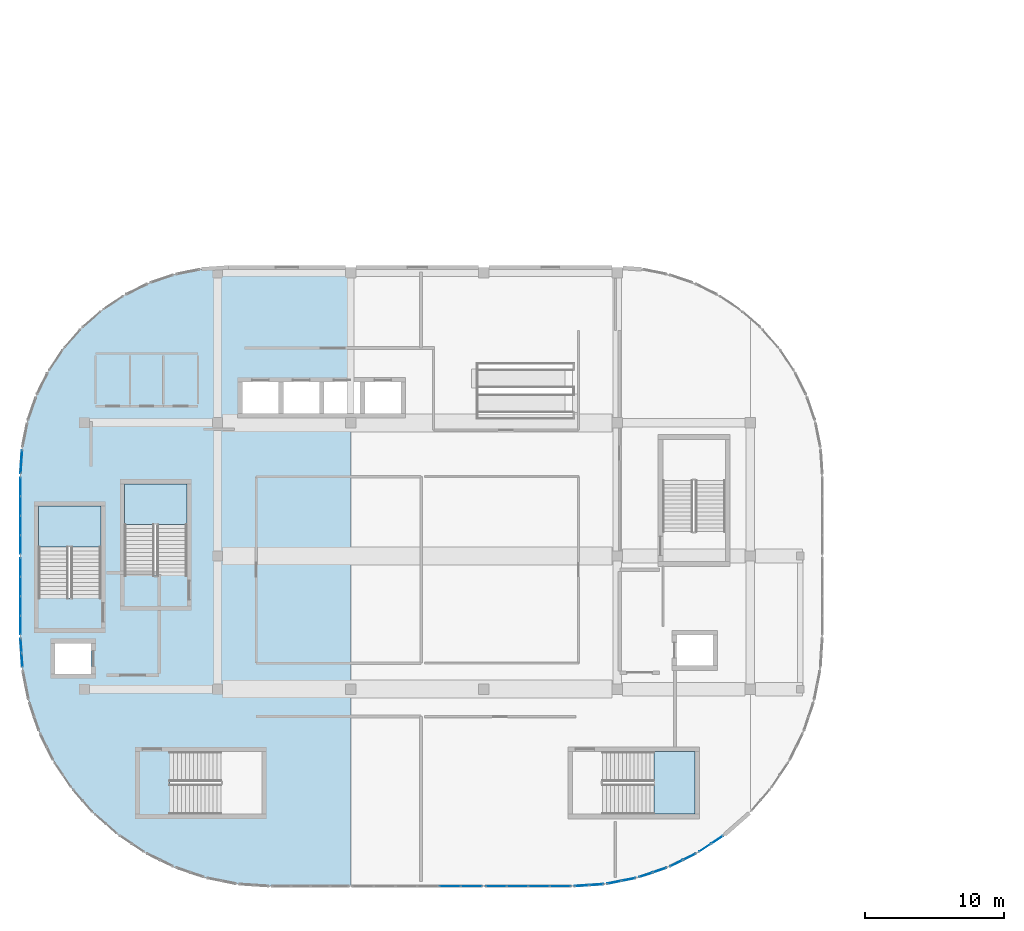
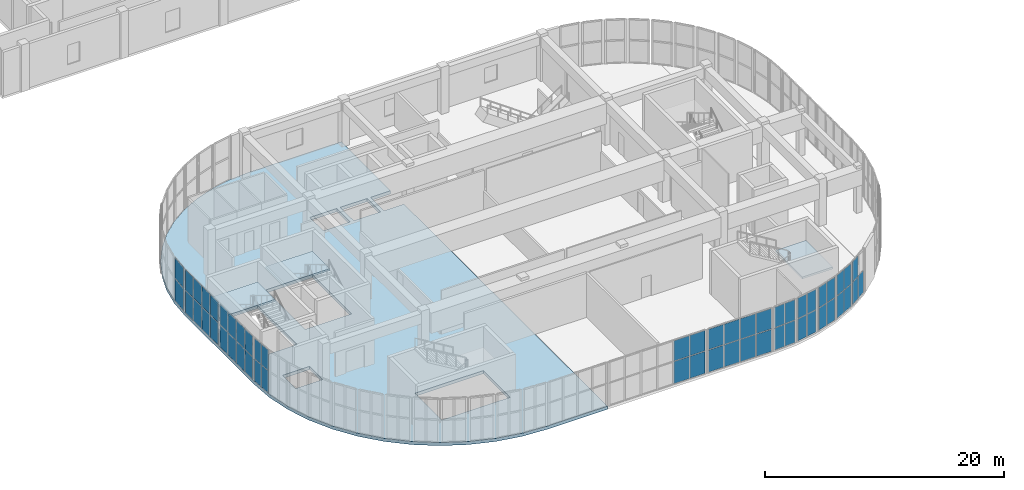
# One storey, part 16 of 28: 53 plates, 4 slabs, 14 elements without a shape of their own.
"""IFC4 building model written with IfcOpenShell, lengths in metres."""

import ifcopenshell
import ifcopenshell.guid

model = None  # the IFC model being written
_history = None  # IfcOwnerHistory: only IFC2X3 demands one
_inside = {}  # id of a spatial element -> (the spatial element, [elements in it])
_under = {}  # id of a project, library or spatial element -> (it, [spatial elements below it])
_declared = {}  # id of a project -> (the project, [libraries it declares])
_typed = {}  # id of a type object -> (the type object, [elements of that type])
_made_of = {}  # id of a material, layer set ... -> (it, [elements and type objects made of it])


def new_model(schema):
    """Start an empty IFC model of exactly this schema.

    Asked for "IFC4X3", IfcOpenShell would pick the latest addendum, in which some entities
    have other attributes; the version numbers below select the first issue.
    IFC2X3 requires an IfcOwnerHistory on every rooted entity: one is made here for all.
    """
    global model, _history
    if schema == "IFC4X3":
        model = ifcopenshell.file(schema_version=(4, 3, 0, 0))
    else:
        model = ifcopenshell.file(schema=schema)
    _inside.clear()
    _under.clear()
    _declared.clear()
    _typed.clear()
    _made_of.clear()
    _history = None
    if model.schema == "IFC2X3":
        org = make("IfcOrganization", Name="unknown")
        user = make(
            "IfcPersonAndOrganization",
            ThePerson=make("IfcPerson", FamilyName="unknown"),
            TheOrganization=org,
        )
        app = make(
            "IfcApplication",
            ApplicationDeveloper=org,
            Version="unknown",
            ApplicationFullName="unknown",
            ApplicationIdentifier="unknown",
        )
        _history = make(
            "IfcOwnerHistory",
            OwningUser=user,
            OwningApplication=app,
            ChangeAction="ADDED",
            CreationDate=0,
        )
    return model


def make(cls, **values):
    """One entity of the class cls with the attributes given. An attribute that is None is left unset."""
    return model.create_entity(
        cls, **{name: value for name, value in values.items() if value is not None}
    )


def rooted(cls, **values):
    """An entity with a GlobalId (a new one), such as an element, a storey or a relation."""
    return make(cls, GlobalId=ifcopenshell.guid.new(), OwnerHistory=_history, **values)


def si_unit(unit_type, name, prefix=None):
    """IfcSIUnit, for example si_unit("LENGTHUNIT", "METRE", prefix="MILLI")."""
    return make("IfcSIUnit", UnitType=unit_type, Prefix=prefix, Name=name)


def assignment(units):
    """IfcUnitAssignment: the units of a project."""
    return None if units is None else make("IfcUnitAssignment", Units=units)


def point(xyz):
    """IfcCartesianPoint."""
    return None if xyz is None else make("IfcCartesianPoint", Coordinates=xyz)


def direction(xyz):
    """IfcDirection."""
    return None if xyz is None else make("IfcDirection", DirectionRatios=xyz)


def frame(location, z_axis=None, x_axis=None):
    """IfcAxis2Placement3D, a coordinate frame: its origin and axes. An axis left out is left unset."""
    return make(
        "IfcAxis2Placement3D",
        Location=point(location),
        Axis=direction(z_axis),
        RefDirection=direction(x_axis),
    )


def frame_2d(location, x_axis=None):
    """IfcAxis2Placement2D, a coordinate frame in the plane: its origin and x axis."""
    return make(
        "IfcAxis2Placement2D", Location=point(location), RefDirection=direction(x_axis)
    )


def origin():
    """The frame at (0, 0, 0) with its axes left unset."""
    return frame((0.0, 0.0, 0.0))


def origin_2d():
    """The frame at (0, 0) in the plane with its x axis left unset."""
    return frame_2d((0.0, 0.0))


def place(relative_to, where):
    """IfcLocalPlacement: puts the frame where relative to a parent placement (None: the world)."""
    return make(
        "IfcLocalPlacement", PlacementRelTo=relative_to, RelativePlacement=where
    )


def context(
    kind, dimensions, precision=None, world=None, true_north=None, identifier=None
):
    """IfcGeometricRepresentationContext, for example the 3D "Model" context."""
    return make(
        "IfcGeometricRepresentationContext",
        ContextIdentifier=identifier,
        ContextType=kind,
        CoordinateSpaceDimension=dimensions,
        Precision=precision,
        WorldCoordinateSystem=world,
        TrueNorth=true_north,
    )


def subcontext(parent, identifier, kind, view, scale=None):
    """IfcGeometricRepresentationSubContext, for example "Body" below "Model"."""
    return make(
        "IfcGeometricRepresentationSubContext",
        ContextIdentifier=identifier,
        ContextType=kind,
        ParentContext=parent,
        TargetScale=scale,
        TargetView=view,
    )


def project(units=None, contexts=None):
    """IfcProject with its units and contexts."""
    return rooted(
        "IfcProject",
        Name="project",
        RepresentationContexts=contexts,
        UnitsInContext=assignment(units),
    )


def spatial(cls, under=None, at=None, **own):
    """A site, building, storey or space (cls), placed at a placement, below another one or the project."""
    s = rooted(cls, ObjectPlacement=at, **own)
    if under is not None:
        _under.setdefault(under.id(), (under, []))[1].append(s)
    return s


def polyline(points):
    """IfcPolyline through the points."""
    return make("IfcPolyline", Points=[point(p) for p in points])


def profile(cls, at=None, kind="AREA", **sizes):
    """A parametric profile (cls). Its sizes go by their IFC names, for example OverallWidth=200.0."""
    return make(cls, ProfileType=kind, Position=at, **sizes)


def rectangle(**sizes):
    """IfcRectangleProfileDef."""
    return profile("IfcRectangleProfileDef", **sizes)


def outline(outer, holes=None, kind="AREA"):
    """IfcArbitraryClosedProfileDef: a profile drawn as a closed curve; with holes, ...WithVoids."""
    if holes is None:
        return make("IfcArbitraryClosedProfileDef", ProfileType=kind, OuterCurve=outer)
    return make(
        "IfcArbitraryProfileDefWithVoids",
        ProfileType=kind,
        OuterCurve=outer,
        InnerCurves=holes,
    )


def extrude(swept, where, along, depth):
    """IfcExtrudedAreaSolid: the profile swept, set in the frame where, extruded along a direction by depth."""
    return make(
        "IfcExtrudedAreaSolid",
        SweptArea=swept,
        Position=where,
        ExtrudedDirection=direction(along),
        Depth=depth,
    )


def shape(context_of_items, identifier, shape_type, items):
    """IfcShapeRepresentation: the items that make up one representation, for example the "Body"."""
    return make(
        "IfcShapeRepresentation",
        ContextOfItems=context_of_items,
        RepresentationIdentifier=identifier,
        RepresentationType=shape_type,
        Items=items,
    )


def material(Name=None, Category=None):
    """IfcMaterial."""
    return make("IfcMaterial", Name=Name, Category=Category)


def layer(
    of_material, thickness, ventilated=None, Name=None, Category=None, Priority=None
):
    """IfcMaterialLayer: one layer of a wall or slab, of a material (None: an air gap)."""
    return make(
        "IfcMaterialLayer",
        Material=of_material,
        LayerThickness=thickness,
        IsVentilated=ventilated,
        Name=Name,
        Category=Category,
        Priority=Priority,
    )


def layer_set(layers, Name=None):
    """IfcMaterialLayerSet."""
    return make("IfcMaterialLayerSet", MaterialLayers=layers, LayerSetName=Name)


def made_of(thing, what):
    """Note that an element or type object is made of a material, layer set ...; save() writes the relation."""
    if what is not None:
        _made_of.setdefault(what.id(), (what, []))[1].append(thing)
    return thing


def type_object(cls, material=None, **own):
    """A type object (cls), such as IfcWallType, which elements share."""
    return made_of(rooted(cls, **own), material)


def element(
    cls,
    number,
    at=None,
    inside=None,
    cuts=None,
    type_object=None,
    material=None,
    context=None,
    identifier="Body",
    shape_type=None,
    held_by="IfcProductDefinitionShape",
    body=None,
    shapes=None,
    **own,
):
    """One element of the class cls, such as IfcWall. Its Tag is "e" and its number.

    at: its placement. inside: the storey or other place that contains it. cuts: it is an
    opening in that element (IfcRelVoidsElement). A single representation is given by context,
    identifier, shape_type and body (its items); several are given by shapes. held_by: the class
    of the entity that holds the representations. save() writes the other relations.
    """
    e = rooted(cls, Tag="e%d" % number, ObjectPlacement=at, **own)
    if body is not None:
        shapes = [shape(context, identifier, shape_type, body)]
    if shapes is not None:
        e.Representation = make(held_by, Representations=shapes)
    if inside is not None:
        _inside.setdefault(inside.id(), (inside, []))[1].append(e)
    if cuts is not None:
        rooted(
            "IfcRelVoidsElement", RelatingBuildingElement=cuts, RelatedOpeningElement=e
        )
    if type_object is not None:
        _typed.setdefault(type_object.id(), (type_object, []))[1].append(e)
    return made_of(e, material)


def aggregate(whole, parts):
    """IfcRelAggregates: a whole, such as a stair, and the parts it consists of."""
    return rooted("IfcRelAggregates", RelatingObject=whole, RelatedObjects=parts)


def save(model, path):
    """Write the relations noted so far, then the file.

    IfcRelAggregates (storeys below a building ...), IfcRelContainedInSpatialStructure (elements
    in a storey), IfcRelDefinesByType, IfcRelAssociatesMaterial and IfcRelDeclares: one each for
    every whole, place, type object, material and project.
    """
    for whole, parts in _under.values():
        aggregate(whole, parts)
    for where, things in _inside.values():
        rooted(
            "IfcRelContainedInSpatialStructure",
            RelatedElements=things,
            RelatingStructure=where,
        )
    for kind, things in _typed.values():
        rooted("IfcRelDefinesByType", RelatedObjects=things, RelatingType=kind)
    for what, things in _made_of.values():
        rooted("IfcRelAssociatesMaterial", RelatedObjects=things, RelatingMaterial=what)
    for by, libraries in _declared.values():
        rooted("IfcRelDeclares", RelatingContext=by, RelatedDefinitions=libraries)
    model.write(path)


model = new_model("IFC4")

# Units and contexts
model_context = context("Model", 3, precision=1e-05, world=origin(), true_north=direction((0.0, 1.0)))
body_context = subcontext(model_context, "Body", "Model", "MODEL_VIEW")
ifc_project = project(units=[si_unit("LENGTHUNIT", "METRE"), si_unit("AREAUNIT", "SQUARE_METRE"), si_unit("VOLUMEUNIT", "CUBIC_METRE"), si_unit("PLANEANGLEUNIT", "RADIAN"), si_unit("MASSUNIT", "GRAM", prefix="KILO")], contexts=[model_context])

# Site, building, storey
site_placement = place(None, origin())
site = spatial("IfcSite", under=ifc_project, at=site_placement, CompositionType="ELEMENT")
building_placement = place(site_placement, origin())
building = spatial("IfcBuilding", under=site, at=building_placement, Name="Cendralis Terraced Arcade", CompositionType="ELEMENT")
storey_placement = place(building_placement, frame((0.0, 0.0, 24.60009765625)))
storey = spatial("IfcBuildingStorey", under=building, at=storey_placement, Name="L05", CompositionType="ELEMENT", Elevation=24.60009765625)

# Curtain wall, plates
ifc_material_1 = material(Name="Anodised aluminium EN AW-6063 T6", Category="aluminium")
ifc_layer_1 = layer(ifc_material_1, 0.179931640625, Name="CW-UNIT-A")
ifc_layer_set_1 = layer_set([ifc_layer_1], Name="Anodised aluminium EN AW-6063 T6")
curtain_wall_type_1 = type_object("IfcCurtainWallType", Name="CW-UNIT-A", PredefinedType="USERDEFINED", material=ifc_layer_set_1)
curtain_wall_1_placement = place(storey_placement, origin())
curtain_wall_1 = element("IfcCurtainWall", 1, at=curtain_wall_1_placement, inside=storey, type_object=curtain_wall_type_1, Name="Exterior Unitised Facade CW-L05-0379", ObjectType="UNITISED FACADE", PredefinedType="USERDEFINED")
ifc_material_2 = material(Name="Tempered solar control laminated glass", Category="glass")
ifc_layer_2 = layer(ifc_material_2, 0.035888671875, Name="CW-UNIT-A-PNL")
ifc_layer_set_2 = layer_set([ifc_layer_2], Name="Tempered solar control laminated glass")
plate_type_1 = type_object("IfcPlateType", Name="CW-UNIT-A-PNL", PredefinedType="CURTAIN_PANEL", material=ifc_layer_set_2)
plate_1_placement = place(storey_placement, frame((5.064208984375, 35.578857421875, 0.06494140625), z_axis=(0.0, 0.0, 1.0), x_axis=(0.065371873798, 0.997860971336, 0.0)))
plate_1 = element("IfcPlate", 2, at=plate_1_placement, type_object=plate_type_1, Name="CW-U1 panel 1.1", PredefinedType="CURTAIN_PANEL", context=body_context, shape_type="SweptSolid", body=[
    extrude(rectangle(XDim=1.652099609375, YDim=0.035888671875, at=origin_2d()), origin(), (0.0, 0.0, 1.0), 2.247802734375),
])
plate_2_placement = place(storey_placement, frame((5.064208984375, 35.578857421875, 2.37744140625), z_axis=(0.0, 0.0, 1.0), x_axis=(0.065371873798, 0.997860971336, 0.0)))
plate_2 = element("IfcPlate", 3, at=plate_2_placement, type_object=plate_type_1, Name="CW-U1 panel 1.2", PredefinedType="CURTAIN_PANEL", context=body_context, shape_type="SweptSolid", body=[
    extrude(rectangle(XDim=1.652099609375, YDim=0.035888671875, at=origin_2d()), origin(), (0.0, 0.0, 1.0), 2.0673828125),
])
aggregate(curtain_wall_1, [plate_1, plate_2])

curtain_wall_2_placement = place(storey_placement, origin())
curtain_wall_2 = element("IfcCurtainWall", 4, at=curtain_wall_2_placement, inside=storey, type_object=curtain_wall_type_1, Name="Exterior Unitised Facade CW-L05-0409", ObjectType="UNITISED FACADE", PredefinedType="USERDEFINED")
plate_3_placement = place(storey_placement, frame((55.21728515625, 8.358642578125, 0.06494140625), z_axis=(0.0, 0.0, 1.0), x_axis=(-0.831476791301, -0.555559488738, 0.0)))
plate_3 = element("IfcPlate", 5, at=plate_3_placement, type_object=plate_type_1, Name="CW-U1 panel 1.1", PredefinedType="CURTAIN_PANEL", context=body_context, shape_type="SweptSolid", body=[
    extrude(rectangle(XDim=0.98974609375, YDim=0.035888671875, at=origin_2d()), origin(), (0.0, 0.0, 1.0), 2.247802734375),
])
plate_4_placement = place(storey_placement, frame((54.34033203125, 7.7724609375, 0.06494140625), z_axis=(0.0, 0.0, 1.0), x_axis=(-0.831476791301, -0.555559488738, 0.0)))
plate_4 = element("IfcPlate", 6, at=plate_4_placement, type_object=plate_type_1, Name="CW-U1 panel 2.1", PredefinedType="CURTAIN_PANEL", context=body_context, shape_type="SweptSolid", body=[
    extrude(rectangle(XDim=0.98974609375, YDim=0.035888671875, at=origin_2d()), origin(), (0.0, 0.0, 1.0), 2.247802734375),
])
plate_5_placement = place(storey_placement, frame((54.34033203125, 7.7724609375, 2.37744140625), z_axis=(0.0, 0.0, 1.0), x_axis=(-0.831476791301, -0.555559488738, 0.0)))
plate_5 = element("IfcPlate", 7, at=plate_5_placement, type_object=plate_type_1, Name="CW-U1 panel 2.2", PredefinedType="CURTAIN_PANEL", context=body_context, shape_type="SweptSolid", body=[
    extrude(rectangle(XDim=0.98974609375, YDim=0.035888671875, at=origin_2d()), origin(), (0.0, 0.0, 1.0), 2.0673828125),
])
aggregate(curtain_wall_2, [plate_3, plate_4, plate_5])

curtain_wall_3_placement = place(storey_placement, origin())
curtain_wall_3 = element("IfcCurtainWall", 8, at=curtain_wall_3_placement, inside=storey, type_object=curtain_wall_type_1, Name="Exterior Unitised Facade CW-L05-0410", ObjectType="UNITISED FACADE", PredefinedType="USERDEFINED")
plate_6_placement = place(storey_placement, frame((53.217041015625, 7.1240234375, 0.06494140625), z_axis=(0.0, 0.0, 1.0), x_axis=(-0.896887612731, -0.442258533133, 0.0)))
plate_6 = element("IfcPlate", 9, at=plate_6_placement, type_object=plate_type_1, Name="CW-U1 panel 1.1", PredefinedType="CURTAIN_PANEL", context=body_context, shape_type="SweptSolid", body=[
    extrude(rectangle(XDim=0.98974609375, YDim=0.035888671875, at=origin_2d()), origin(), (0.0, 0.0, 1.0), 2.247802734375),
])
plate_7_placement = place(storey_placement, frame((53.217041015625, 7.1240234375, 2.37744140625), z_axis=(0.0, 0.0, 1.0), x_axis=(-0.896887612731, -0.442258533133, 0.0)))
plate_7 = element("IfcPlate", 10, at=plate_7_placement, type_object=plate_type_1, Name="CW-U1 panel 1.2", PredefinedType="CURTAIN_PANEL", context=body_context, shape_type="SweptSolid", body=[
    extrude(rectangle(XDim=0.98974609375, YDim=0.035888671875, at=origin_2d()), origin(), (0.0, 0.0, 1.0), 2.0673828125),
])
plate_8_placement = place(storey_placement, frame((52.271240234375, 6.65771484375, 0.06494140625), z_axis=(0.0, 0.0, 1.0), x_axis=(-0.896887612731, -0.442258533133, 0.0)))
plate_8 = element("IfcPlate", 11, at=plate_8_placement, type_object=plate_type_1, Name="CW-U1 panel 2.1", PredefinedType="CURTAIN_PANEL", context=body_context, shape_type="SweptSolid", body=[
    extrude(rectangle(XDim=0.98974609375, YDim=0.035888671875, at=origin_2d()), origin(), (0.0, 0.0, 1.0), 2.247802734375),
])
plate_9_placement = place(storey_placement, frame((52.271240234375, 6.65771484375, 2.37744140625), z_axis=(0.0, 0.0, 1.0), x_axis=(-0.896887612731, -0.442258533133, 0.0)))
plate_9 = element("IfcPlate", 12, at=plate_9_placement, type_object=plate_type_1, Name="CW-U1 panel 2.2", PredefinedType="CURTAIN_PANEL", context=body_context, shape_type="SweptSolid", body=[
    extrude(rectangle(XDim=0.98974609375, YDim=0.035888671875, at=origin_2d()), origin(), (0.0, 0.0, 1.0), 2.0673828125),
])
aggregate(curtain_wall_3, [plate_6, plate_7, plate_8, plate_9])

curtain_wall_4_placement = place(storey_placement, origin())
curtain_wall_4 = element("IfcCurtainWall", 13, at=curtain_wall_4_placement, inside=storey, type_object=curtain_wall_type_1, Name="Exterior Unitised Facade CW-L05-0411", ObjectType="UNITISED FACADE", PredefinedType="USERDEFINED")
plate_10_placement = place(storey_placement, frame((51.072998046875, 6.161376953125, 0.06494140625), z_axis=(0.0, 0.0, 1.0), x_axis=(-0.946916721066, -0.321478962554, 0.0)))
plate_10 = element("IfcPlate", 14, at=plate_10_placement, type_object=plate_type_1, Name="CW-U1 panel 1.1", PredefinedType="CURTAIN_PANEL", context=body_context, shape_type="SweptSolid", body=[
    extrude(rectangle(XDim=0.98974609375, YDim=0.035888671875, at=origin_2d()), origin(), (0.0, 0.0, 1.0), 2.247802734375),
])
plate_11_placement = place(storey_placement, frame((51.072998046875, 6.161376953125, 2.37744140625), z_axis=(0.0, 0.0, 1.0), x_axis=(-0.946916721066, -0.321478962554, 0.0)))
plate_11 = element("IfcPlate", 15, at=plate_11_placement, type_object=plate_type_1, Name="CW-U1 panel 1.2", PredefinedType="CURTAIN_PANEL", context=body_context, shape_type="SweptSolid", body=[
    extrude(rectangle(XDim=0.98974609375, YDim=0.035888671875, at=origin_2d()), origin(), (0.0, 0.0, 1.0), 2.0673828125),
])
plate_12_placement = place(storey_placement, frame((50.073974609375, 5.822265625, 0.06494140625), z_axis=(0.0, 0.0, 1.0), x_axis=(-0.946916721066, -0.321478962554, 0.0)))
plate_12 = element("IfcPlate", 16, at=plate_12_placement, type_object=plate_type_1, Name="CW-U1 panel 2.1", PredefinedType="CURTAIN_PANEL", context=body_context, shape_type="SweptSolid", body=[
    extrude(rectangle(XDim=0.98974609375, YDim=0.035888671875, at=origin_2d()), origin(), (0.0, 0.0, 1.0), 2.247802734375),
])
plate_13_placement = place(storey_placement, frame((50.073974609375, 5.822265625, 2.37744140625), z_axis=(0.0, 0.0, 1.0), x_axis=(-0.946916721066, -0.321478962554, 0.0)))
plate_13 = element("IfcPlate", 17, at=plate_13_placement, type_object=plate_type_1, Name="CW-U1 panel 2.2", PredefinedType="CURTAIN_PANEL", context=body_context, shape_type="SweptSolid", body=[
    extrude(rectangle(XDim=0.98974609375, YDim=0.035888671875, at=origin_2d()), origin(), (0.0, 0.0, 1.0), 2.0673828125),
])
aggregate(curtain_wall_4, [plate_10, plate_11, plate_12, plate_13])

curtain_wall_5_placement = place(storey_placement, origin())
curtain_wall_5 = element("IfcCurtainWall", 18, at=curtain_wall_5_placement, inside=storey, type_object=curtain_wall_type_1, Name="Exterior Unitised Facade CW-L05-0412", ObjectType="UNITISED FACADE", PredefinedType="USERDEFINED")
plate_14_placement = place(storey_placement, frame((48.8212890625, 5.486572265625, 0.06494140625), z_axis=(0.0, 0.0, 1.0), x_axis=(-0.980794124594, -0.195045853998, 0.0)))
plate_14 = element("IfcPlate", 19, at=plate_14_placement, type_object=plate_type_1, Name="CW-U1 panel 1.1", PredefinedType="CURTAIN_PANEL", context=body_context, shape_type="SweptSolid", body=[
    extrude(rectangle(XDim=0.98974609375, YDim=0.035888671875, at=origin_2d()), origin(), (0.0, 0.0, 1.0), 2.247802734375),
])
plate_15_placement = place(storey_placement, frame((48.8212890625, 5.486572265625, 2.37744140625), z_axis=(0.0, 0.0, 1.0), x_axis=(-0.980794124594, -0.195045853998, 0.0)))
plate_15 = element("IfcPlate", 20, at=plate_15_placement, type_object=plate_type_1, Name="CW-U1 panel 1.2", PredefinedType="CURTAIN_PANEL", context=body_context, shape_type="SweptSolid", body=[
    extrude(rectangle(XDim=0.98974609375, YDim=0.035888671875, at=origin_2d()), origin(), (0.0, 0.0, 1.0), 2.0673828125),
])
plate_16_placement = place(storey_placement, frame((47.786865234375, 5.28076171875, 0.06494140625), z_axis=(0.0, 0.0, 1.0), x_axis=(-0.980794124594, -0.195045853998, 0.0)))
plate_16 = element("IfcPlate", 21, at=plate_16_placement, type_object=plate_type_1, Name="CW-U1 panel 2.1", PredefinedType="CURTAIN_PANEL", context=body_context, shape_type="SweptSolid", body=[
    extrude(rectangle(XDim=0.98974609375, YDim=0.035888671875, at=origin_2d()), origin(), (0.0, 0.0, 1.0), 2.247802734375),
])
plate_17_placement = place(storey_placement, frame((47.786865234375, 5.28076171875, 2.37744140625), z_axis=(0.0, 0.0, 1.0), x_axis=(-0.980794124594, -0.195045853998, 0.0)))
plate_17 = element("IfcPlate", 22, at=plate_17_placement, type_object=plate_type_1, Name="CW-U1 panel 2.2", PredefinedType="CURTAIN_PANEL", context=body_context, shape_type="SweptSolid", body=[
    extrude(rectangle(XDim=0.98974609375, YDim=0.035888671875, at=origin_2d()), origin(), (0.0, 0.0, 1.0), 2.0673828125),
])
aggregate(curtain_wall_5, [plate_14, plate_15, plate_16, plate_17])

curtain_wall_6_placement = place(storey_placement, origin())
curtain_wall_6 = element("IfcCurtainWall", 23, at=curtain_wall_6_placement, inside=storey, type_object=curtain_wall_type_1, Name="Exterior Unitised Facade CW-L05-0413", ObjectType="UNITISED FACADE", PredefinedType="USERDEFINED")
plate_18_placement = place(storey_placement, frame((46.5009765625, 5.111572265625, 0.06494140625), z_axis=(0.0, 0.0, 1.0), x_axis=(-0.99785960626, -0.065392707503, 0.0)))
plate_18 = element("IfcPlate", 24, at=plate_18_placement, type_object=plate_type_1, Name="CW-U1 panel 1.1", PredefinedType="CURTAIN_PANEL", context=body_context, shape_type="SweptSolid", body=[
    extrude(rectangle(XDim=0.98974609375, YDim=0.035888671875, at=origin_2d()), origin(), (0.0, 0.0, 1.0), 2.247802734375),
])
plate_19_placement = place(storey_placement, frame((46.5009765625, 5.111572265625, 2.37744140625), z_axis=(0.0, 0.0, 1.0), x_axis=(-0.99785960626, -0.065392707503, 0.0)))
plate_19 = element("IfcPlate", 25, at=plate_19_placement, type_object=plate_type_1, Name="CW-U1 panel 1.2", PredefinedType="CURTAIN_PANEL", context=body_context, shape_type="SweptSolid", body=[
    extrude(rectangle(XDim=0.98974609375, YDim=0.035888671875, at=origin_2d()), origin(), (0.0, 0.0, 1.0), 2.0673828125),
])
plate_20_placement = place(storey_placement, frame((45.448486328125, 5.04248046875, 0.06494140625), z_axis=(0.0, 0.0, 1.0), x_axis=(-0.99785960626, -0.065392707503, 0.0)))
plate_20 = element("IfcPlate", 26, at=plate_20_placement, type_object=plate_type_1, Name="CW-U1 panel 2.1", PredefinedType="CURTAIN_PANEL", context=body_context, shape_type="SweptSolid", body=[
    extrude(rectangle(XDim=0.98974609375, YDim=0.035888671875, at=origin_2d()), origin(), (0.0, 0.0, 1.0), 2.247802734375),
])
plate_21_placement = place(storey_placement, frame((45.448486328125, 5.04248046875, 2.37744140625), z_axis=(0.0, 0.0, 1.0), x_axis=(-0.99785960626, -0.065392707503, 0.0)))
plate_21 = element("IfcPlate", 27, at=plate_21_placement, type_object=plate_type_1, Name="CW-U1 panel 2.2", PredefinedType="CURTAIN_PANEL", context=body_context, shape_type="SweptSolid", body=[
    extrude(rectangle(XDim=0.98974609375, YDim=0.035888671875, at=origin_2d()), origin(), (0.0, 0.0, 1.0), 2.0673828125),
])
aggregate(curtain_wall_6, [plate_18, plate_19, plate_20, plate_21])

curtain_wall_7_placement = place(storey_placement, origin())
curtain_wall_7 = element("IfcCurtainWall", 28, at=curtain_wall_7_placement, inside=storey, type_object=curtain_wall_type_1, Name="Exterior Unitised Facade CW-L05-0428", ObjectType="UNITISED FACADE", PredefinedType="USERDEFINED")
plate_22_placement = place(storey_placement, frame((5.111572265625, 21.299072265625, 0.06494140625), z_axis=(0.0, 0.0, 1.0), x_axis=(-0.065392707503, 0.99785960626, 0.0)))
plate_22 = element("IfcPlate", 29, at=plate_22_placement, type_object=plate_type_1, Name="CW-U1 panel 1.1", PredefinedType="CURTAIN_PANEL", context=body_context, shape_type="SweptSolid", body=[
    extrude(rectangle(XDim=0.98974609375, YDim=0.035888671875, at=origin_2d()), origin(), (0.0, 0.0, 1.0), 2.247802734375),
])
plate_23_placement = place(storey_placement, frame((5.111572265625, 21.299072265625, 2.37744140625), z_axis=(0.0, 0.0, 1.0), x_axis=(-0.065392707503, 0.99785960626, 0.0)))
plate_23 = element("IfcPlate", 30, at=plate_23_placement, type_object=plate_type_1, Name="CW-U1 panel 1.2", PredefinedType="CURTAIN_PANEL", context=body_context, shape_type="SweptSolid", body=[
    extrude(rectangle(XDim=0.98974609375, YDim=0.035888671875, at=origin_2d()), origin(), (0.0, 0.0, 1.0), 2.0673828125),
])
plate_24_placement = place(storey_placement, frame((5.04248046875, 22.3515625, 0.06494140625), z_axis=(0.0, 0.0, 1.0), x_axis=(-0.065392707503, 0.99785960626, 0.0)))
plate_24 = element("IfcPlate", 31, at=plate_24_placement, type_object=plate_type_1, Name="CW-U1 panel 2.1", PredefinedType="CURTAIN_PANEL", context=body_context, shape_type="SweptSolid", body=[
    extrude(rectangle(XDim=0.98974609375, YDim=0.035888671875, at=origin_2d()), origin(), (0.0, 0.0, 1.0), 2.247802734375),
])
plate_25_placement = place(storey_placement, frame((5.04248046875, 22.3515625, 2.37744140625), z_axis=(0.0, 0.0, 1.0), x_axis=(-0.065392707503, 0.99785960626, 0.0)))
plate_25 = element("IfcPlate", 32, at=plate_25_placement, type_object=plate_type_1, Name="CW-U1 panel 2.2", PredefinedType="CURTAIN_PANEL", context=body_context, shape_type="SweptSolid", body=[
    extrude(rectangle(XDim=0.98974609375, YDim=0.035888671875, at=origin_2d()), origin(), (0.0, 0.0, 1.0), 2.0673828125),
])
aggregate(curtain_wall_7, [plate_22, plate_23, plate_24, plate_25])

ifc_layer_3 = layer(ifc_material_1, 0.159912109375, Name="CW-UNIT-B")
ifc_layer_set_3 = layer_set([ifc_layer_3], Name="Anodised aluminium EN AW-6063 T6")
curtain_wall_type_2 = type_object("IfcCurtainWallType", Name="CW-UNIT-B", PredefinedType="USERDEFINED", material=ifc_layer_set_3)
curtain_wall_8_placement = place(storey_placement, origin())
curtain_wall_8 = element("IfcCurtainWall", 33, at=curtain_wall_8_placement, inside=storey, type_object=curtain_wall_type_2, Name="Exterior Unitised Facade CW-L05-0414", ObjectType="UNITISED FACADE", PredefinedType="USERDEFINED")
ifc_layer_4 = layer(ifc_material_2, 0.031982421875, Name="CW-UNIT-B-PNL")
ifc_layer_set_4 = layer_set([ifc_layer_4], Name="Tempered solar control laminated glass")
plate_type_2 = type_object("IfcPlateType", Name="CW-UNIT-B-PNL", PredefinedType="CURTAIN_PANEL", material=ifc_layer_set_4)
plate_26_placement = place(storey_placement, frame((43.916259765625, 5.0, 0.06005859375), z_axis=(0.0, 0.0, 1.0), x_axis=(-1.0, 0.0, 0.0)))
plate_26 = element("IfcPlate", 34, at=plate_26_placement, type_object=plate_type_2, Name="CW-U2 panel 1.1", PredefinedType="CURTAIN_PANEL", context=body_context, shape_type="SweptSolid", body=[
    extrude(rectangle(XDim=1.45751953125, YDim=0.031982421875, at=origin_2d()), origin(), (0.0, 0.0, 1.0), 2.255126953125),
])
plate_27_placement = place(storey_placement, frame((43.916259765625, 5.0, 2.375244140625), z_axis=(0.0, 0.0, 1.0), x_axis=(-1.0, 0.0, 0.0)))
plate_27 = element("IfcPlate", 35, at=plate_27_placement, type_object=plate_type_2, Name="CW-U2 panel 1.2", PredefinedType="CURTAIN_PANEL", context=body_context, shape_type="SweptSolid", body=[
    extrude(rectangle(XDim=1.45751953125, YDim=0.031982421875, at=origin_2d()), origin(), (0.0, 0.0, 1.0), 2.07470703125),
])
plate_28_placement = place(storey_placement, frame((42.37744140625, 5.0, 0.06005859375), z_axis=(0.0, 0.0, 1.0), x_axis=(-1.0, 0.0, 0.0)))
plate_28 = element("IfcPlate", 36, at=plate_28_placement, type_object=plate_type_2, Name="CW-U2 panel 2.1", PredefinedType="CURTAIN_PANEL", context=body_context, shape_type="SweptSolid", body=[
    extrude(rectangle(XDim=1.489990234375, YDim=0.031982421875, at=origin_2d()), origin(), (0.0, 0.0, 1.0), 2.255126953125),
])
plate_29_placement = place(storey_placement, frame((42.37744140625, 5.0, 2.375244140625), z_axis=(0.0, 0.0, 1.0), x_axis=(-1.0, 0.0, 0.0)))
plate_29 = element("IfcPlate", 37, at=plate_29_placement, type_object=plate_type_2, Name="CW-U2 panel 2.2", PredefinedType="CURTAIN_PANEL", context=body_context, shape_type="SweptSolid", body=[
    extrude(rectangle(XDim=1.489990234375, YDim=0.031982421875, at=origin_2d()), origin(), (0.0, 0.0, 1.0), 2.07470703125),
])
plate_30_placement = place(storey_placement, frame((40.822509765625, 5.0, 0.06005859375), z_axis=(0.0, 0.0, 1.0), x_axis=(-1.0, 0.0, 0.0)))
plate_30 = element("IfcPlate", 38, at=plate_30_placement, type_object=plate_type_2, Name="CW-U2 panel 3.1", PredefinedType="CURTAIN_PANEL", context=body_context, shape_type="SweptSolid", body=[
    extrude(rectangle(XDim=1.489990234375, YDim=0.031982421875, at=origin_2d()), origin(), (0.0, 0.0, 1.0), 2.255126953125),
])
plate_31_placement = place(storey_placement, frame((40.822509765625, 5.0, 2.375244140625), z_axis=(0.0, 0.0, 1.0), x_axis=(-1.0, 0.0, 0.0)))
plate_31 = element("IfcPlate", 39, at=plate_31_placement, type_object=plate_type_2, Name="CW-U2 panel 3.2", PredefinedType="CURTAIN_PANEL", context=body_context, shape_type="SweptSolid", body=[
    extrude(rectangle(XDim=1.489990234375, YDim=0.031982421875, at=origin_2d()), origin(), (0.0, 0.0, 1.0), 2.07470703125),
])
plate_32_placement = place(storey_placement, frame((39.28369140625, 5.0, 0.06005859375), z_axis=(0.0, 0.0, 1.0), x_axis=(-1.0, 0.0, 0.0)))
plate_32 = element("IfcPlate", 40, at=plate_32_placement, type_object=plate_type_2, Name="CW-U2 panel 4.1", PredefinedType="CURTAIN_PANEL", context=body_context, shape_type="SweptSolid", body=[
    extrude(rectangle(XDim=1.45751953125, YDim=0.031982421875, at=origin_2d()), origin(), (0.0, 0.0, 1.0), 2.255126953125),
])
plate_33_placement = place(storey_placement, frame((39.28369140625, 5.0, 2.375244140625), z_axis=(0.0, 0.0, 1.0), x_axis=(-1.0, 0.0, 0.0)))
plate_33 = element("IfcPlate", 41, at=plate_33_placement, type_object=plate_type_2, Name="CW-U2 panel 4.2", PredefinedType="CURTAIN_PANEL", context=body_context, shape_type="SweptSolid", body=[
    extrude(rectangle(XDim=1.45751953125, YDim=0.031982421875, at=origin_2d()), origin(), (0.0, 0.0, 1.0), 2.07470703125),
])
aggregate(curtain_wall_8, [plate_26, plate_27, plate_28, plate_29, plate_30, plate_31, plate_32, plate_33])

curtain_wall_9_placement = place(storey_placement, origin())
curtain_wall_9 = element("IfcCurtainWall", 42, at=curtain_wall_9_placement, inside=storey, type_object=curtain_wall_type_2, Name="Exterior Unitised Facade CW-L05-0415", ObjectType="UNITISED FACADE", PredefinedType="USERDEFINED")
plate_34_placement = place(storey_placement, frame((37.5087890625, 5.0, 0.06005859375), z_axis=(0.0, 0.0, 1.0), x_axis=(-1.0, 0.0, 0.0)))
plate_34 = element("IfcPlate", 43, at=plate_34_placement, type_object=plate_type_2, Name="CW-U2 panel 1.1", PredefinedType="CURTAIN_PANEL", context=body_context, shape_type="SweptSolid", body=[
    extrude(rectangle(XDim=1.472412109375, YDim=0.031982421875, at=origin_2d()), origin(), (0.0, 0.0, 1.0), 2.255126953125),
])
plate_35_placement = place(storey_placement, frame((37.5087890625, 5.0, 2.375244140625), z_axis=(0.0, 0.0, 1.0), x_axis=(-1.0, 0.0, 0.0)))
plate_35 = element("IfcPlate", 44, at=plate_35_placement, type_object=plate_type_2, Name="CW-U2 panel 1.2", PredefinedType="CURTAIN_PANEL", context=body_context, shape_type="SweptSolid", body=[
    extrude(rectangle(XDim=1.472412109375, YDim=0.031982421875, at=origin_2d()), origin(), (0.0, 0.0, 1.0), 2.07470703125),
])
plate_36_placement = place(storey_placement, frame((35.955078125, 5.0, 0.06005859375), z_axis=(0.0, 0.0, 1.0), x_axis=(-1.0, 0.0, 0.0)))
plate_36 = element("IfcPlate", 45, at=plate_36_placement, type_object=plate_type_2, Name="CW-U2 panel 2.1", PredefinedType="CURTAIN_PANEL", context=body_context, shape_type="SweptSolid", body=[
    extrude(rectangle(XDim=1.5048828125, YDim=0.031982421875, at=origin_2d()), origin(), (0.0, 0.0, 1.0), 2.255126953125),
])
plate_37_placement = place(storey_placement, frame((35.955078125, 5.0, 2.375244140625), z_axis=(0.0, 0.0, 1.0), x_axis=(-1.0, 0.0, 0.0)))
plate_37 = element("IfcPlate", 46, at=plate_37_placement, type_object=plate_type_2, Name="CW-U2 panel 2.2", PredefinedType="CURTAIN_PANEL", context=body_context, shape_type="SweptSolid", body=[
    extrude(rectangle(XDim=1.5048828125, YDim=0.031982421875, at=origin_2d()), origin(), (0.0, 0.0, 1.0), 2.07470703125),
])
aggregate(curtain_wall_9, [plate_34, plate_35, plate_36, plate_37])

curtain_wall_10_placement = place(storey_placement, origin())
curtain_wall_10 = element("IfcCurtainWall", 47, at=curtain_wall_10_placement, inside=storey, type_object=curtain_wall_type_2, Name="Exterior Unitised Facade CW-L05-0429", ObjectType="UNITISED FACADE", PredefinedType="USERDEFINED")
plate_38_placement = place(storey_placement, frame((5.0, 23.808837890625, 0.06005859375), z_axis=(0.0, 0.0, 1.0), x_axis=(0.0, 1.0, 0.0)))
plate_38 = element("IfcPlate", 48, at=plate_38_placement, type_object=plate_type_2, Name="CW-U2 panel 1.1", PredefinedType="CURTAIN_PANEL", context=body_context, shape_type="SweptSolid", body=[
    extrude(rectangle(XDim=1.3076171875, YDim=0.031982421875, at=origin_2d()), origin(), (0.0, 0.0, 1.0), 2.255126953125),
])
plate_39_placement = place(storey_placement, frame((5.0, 23.808837890625, 2.375244140625), z_axis=(0.0, 0.0, 1.0), x_axis=(0.0, 1.0, 0.0)))
plate_39 = element("IfcPlate", 49, at=plate_39_placement, type_object=plate_type_2, Name="CW-U2 panel 1.2", PredefinedType="CURTAIN_PANEL", context=body_context, shape_type="SweptSolid", body=[
    extrude(rectangle(XDim=1.3076171875, YDim=0.031982421875, at=origin_2d()), origin(), (0.0, 0.0, 1.0), 2.07470703125),
])
plate_40_placement = place(storey_placement, frame((5.0, 25.197509765625, 0.06005859375), z_axis=(0.0, 0.0, 1.0), x_axis=(0.0, 1.0, 0.0)))
plate_40 = element("IfcPlate", 50, at=plate_40_placement, type_object=plate_type_2, Name="CW-U2 panel 2.1", PredefinedType="CURTAIN_PANEL", context=body_context, shape_type="SweptSolid", body=[
    extrude(rectangle(XDim=1.340087890625, YDim=0.031982421875, at=origin_2d()), origin(), (0.0, 0.0, 1.0), 2.255126953125),
])
plate_41_placement = place(storey_placement, frame((5.0, 25.197509765625, 2.375244140625), z_axis=(0.0, 0.0, 1.0), x_axis=(0.0, 1.0, 0.0)))
plate_41 = element("IfcPlate", 51, at=plate_41_placement, type_object=plate_type_2, Name="CW-U2 panel 2.2", PredefinedType="CURTAIN_PANEL", context=body_context, shape_type="SweptSolid", body=[
    extrude(rectangle(XDim=1.340087890625, YDim=0.031982421875, at=origin_2d()), origin(), (0.0, 0.0, 1.0), 2.07470703125),
])
plate_42_placement = place(storey_placement, frame((5.0, 26.6025390625, 0.06005859375), z_axis=(0.0, 0.0, 1.0), x_axis=(0.0, 1.0, 0.0)))
plate_42 = element("IfcPlate", 52, at=plate_42_placement, type_object=plate_type_2, Name="CW-U2 panel 3.1", PredefinedType="CURTAIN_PANEL", context=body_context, shape_type="SweptSolid", body=[
    extrude(rectangle(XDim=1.340087890625, YDim=0.031982421875, at=origin_2d()), origin(), (0.0, 0.0, 1.0), 2.255126953125),
])
plate_43_placement = place(storey_placement, frame((5.0, 26.6025390625, 2.375244140625), z_axis=(0.0, 0.0, 1.0), x_axis=(0.0, 1.0, 0.0)))
plate_43 = element("IfcPlate", 53, at=plate_43_placement, type_object=plate_type_2, Name="CW-U2 panel 3.2", PredefinedType="CURTAIN_PANEL", context=body_context, shape_type="SweptSolid", body=[
    extrude(rectangle(XDim=1.340087890625, YDim=0.031982421875, at=origin_2d()), origin(), (0.0, 0.0, 1.0), 2.07470703125),
])
plate_44_placement = place(storey_placement, frame((5.0, 27.9912109375, 0.06005859375), z_axis=(0.0, 0.0, 1.0), x_axis=(0.0, 1.0, 0.0)))
plate_44 = element("IfcPlate", 54, at=plate_44_placement, type_object=plate_type_2, Name="CW-U2 panel 4.1", PredefinedType="CURTAIN_PANEL", context=body_context, shape_type="SweptSolid", body=[
    extrude(rectangle(XDim=1.3076171875, YDim=0.031982421875, at=origin_2d()), origin(), (0.0, 0.0, 1.0), 2.255126953125),
])
plate_45_placement = place(storey_placement, frame((5.0, 27.9912109375, 2.375244140625), z_axis=(0.0, 0.0, 1.0), x_axis=(0.0, 1.0, 0.0)))
plate_45 = element("IfcPlate", 55, at=plate_45_placement, type_object=plate_type_2, Name="CW-U2 panel 4.2", PredefinedType="CURTAIN_PANEL", context=body_context, shape_type="SweptSolid", body=[
    extrude(rectangle(XDim=1.3076171875, YDim=0.031982421875, at=origin_2d()), origin(), (0.0, 0.0, 1.0), 2.07470703125),
])
aggregate(curtain_wall_10, [plate_38, plate_39, plate_40, plate_41, plate_42, plate_43, plate_44, plate_45])

curtain_wall_11_placement = place(storey_placement, origin())
curtain_wall_11 = element("IfcCurtainWall", 56, at=curtain_wall_11_placement, inside=storey, type_object=curtain_wall_type_2, Name="Exterior Unitised Facade CW-L05-0430", ObjectType="UNITISED FACADE", PredefinedType="USERDEFINED")
plate_46_placement = place(storey_placement, frame((5.0, 29.608642578125, 0.06005859375), z_axis=(0.0, 0.0, 1.0), x_axis=(0.0, 1.0, 0.0)))
plate_46 = element("IfcPlate", 57, at=plate_46_placement, type_object=plate_type_2, Name="CW-U2 panel 1.1", PredefinedType="CURTAIN_PANEL", context=body_context, shape_type="SweptSolid", body=[
    extrude(rectangle(XDim=1.3076171875, YDim=0.031982421875, at=origin_2d()), origin(), (0.0, 0.0, 1.0), 2.255126953125),
])
plate_47_placement = place(storey_placement, frame((5.0, 29.608642578125, 2.375244140625), z_axis=(0.0, 0.0, 1.0), x_axis=(0.0, 1.0, 0.0)))
plate_47 = element("IfcPlate", 58, at=plate_47_placement, type_object=plate_type_2, Name="CW-U2 panel 1.2", PredefinedType="CURTAIN_PANEL", context=body_context, shape_type="SweptSolid", body=[
    extrude(rectangle(XDim=1.3076171875, YDim=0.031982421875, at=origin_2d()), origin(), (0.0, 0.0, 1.0), 2.07470703125),
])
plate_48_placement = place(storey_placement, frame((5.0, 30.99755859375, 0.06005859375), z_axis=(0.0, 0.0, 1.0), x_axis=(0.0, 1.0, 0.0)))
plate_48 = element("IfcPlate", 59, at=plate_48_placement, type_object=plate_type_2, Name="CW-U2 panel 2.1", PredefinedType="CURTAIN_PANEL", context=body_context, shape_type="SweptSolid", body=[
    extrude(rectangle(XDim=1.340087890625, YDim=0.031982421875, at=origin_2d()), origin(), (0.0, 0.0, 1.0), 2.255126953125),
])
plate_49_placement = place(storey_placement, frame((5.0, 30.99755859375, 2.375244140625), z_axis=(0.0, 0.0, 1.0), x_axis=(0.0, 1.0, 0.0)))
plate_49 = element("IfcPlate", 60, at=plate_49_placement, type_object=plate_type_2, Name="CW-U2 panel 2.2", PredefinedType="CURTAIN_PANEL", context=body_context, shape_type="SweptSolid", body=[
    extrude(rectangle(XDim=1.340087890625, YDim=0.031982421875, at=origin_2d()), origin(), (0.0, 0.0, 1.0), 2.07470703125),
])
plate_50_placement = place(storey_placement, frame((5.0, 32.402587890625, 0.06005859375), z_axis=(0.0, 0.0, 1.0), x_axis=(0.0, 1.0, 0.0)))
plate_50 = element("IfcPlate", 61, at=plate_50_placement, type_object=plate_type_2, Name="CW-U2 panel 3.1", PredefinedType="CURTAIN_PANEL", context=body_context, shape_type="SweptSolid", body=[
    extrude(rectangle(XDim=1.340087890625, YDim=0.031982421875, at=origin_2d()), origin(), (0.0, 0.0, 1.0), 2.255126953125),
])
plate_51_placement = place(storey_placement, frame((5.0, 32.402587890625, 2.375244140625), z_axis=(0.0, 0.0, 1.0), x_axis=(0.0, 1.0, 0.0)))
plate_51 = element("IfcPlate", 62, at=plate_51_placement, type_object=plate_type_2, Name="CW-U2 panel 3.2", PredefinedType="CURTAIN_PANEL", context=body_context, shape_type="SweptSolid", body=[
    extrude(rectangle(XDim=1.340087890625, YDim=0.031982421875, at=origin_2d()), origin(), (0.0, 0.0, 1.0), 2.07470703125),
])
plate_52_placement = place(storey_placement, frame((5.0, 33.791259765625, 0.06005859375), z_axis=(0.0, 0.0, 1.0), x_axis=(0.0, 1.0, 0.0)))
plate_52 = element("IfcPlate", 63, at=plate_52_placement, type_object=plate_type_2, Name="CW-U2 panel 4.1", PredefinedType="CURTAIN_PANEL", context=body_context, shape_type="SweptSolid", body=[
    extrude(rectangle(XDim=1.3076171875, YDim=0.031982421875, at=origin_2d()), origin(), (0.0, 0.0, 1.0), 2.255126953125),
])
plate_53_placement = place(storey_placement, frame((5.0, 33.791259765625, 2.375244140625), z_axis=(0.0, 0.0, 1.0), x_axis=(0.0, 1.0, 0.0)))
plate_53 = element("IfcPlate", 64, at=plate_53_placement, type_object=plate_type_2, Name="CW-U2 panel 4.2", PredefinedType="CURTAIN_PANEL", context=body_context, shape_type="SweptSolid", body=[
    extrude(rectangle(XDim=1.3076171875, YDim=0.031982421875, at=origin_2d()), origin(), (0.0, 0.0, 1.0), 2.07470703125),
])
aggregate(curtain_wall_11, [plate_46, plate_47, plate_48, plate_49, plate_50, plate_51, plate_52, plate_53])

# Slab
ifc_material_3 = material(Name="Concrete f'c 35 MPa", Category="concrete")
ifc_layer_5 = layer(ifc_material_3, 0.320068359375, Name="SLB-L05-320")
ifc_layer_set_5 = layer_set([ifc_layer_5], Name="Concrete f'c 35 MPa")
slab_type_1 = type_object("IfcSlabType", Name="SLB-L05-320", PredefinedType="FLOOR", material=ifc_layer_set_5)
slab_1_placement = place(storey_placement, frame((0.0, 0.0, -0.320068359375)))
element("IfcSlab", 65, at=slab_1_placement, inside=storey, type_object=slab_type_1, Name="Reinforced Concrete Floor Slab SLB-L05-V1-W1-1", PredefinedType="FLOOR", context=body_context, shape_type="SweptSolid", body=[
    extrude(outline(polyline([(5.12841796875, 36.557861328125), (5.510986328125, 38.482421875), (6.141845703125, 40.34033203125), (7.009521484375, 42.10009765625), (8.099609375, 43.7314453125), (9.393310546875, 45.20654296875), (10.86865234375, 46.500244140625), (12.5, 47.59033203125), (14.259765625, 48.458251953125), (16.11767578125, 49.0888671875), (18.0419921875, 49.4716796875), (20.0, 49.60009765625), (28.800048828125, 49.60009765625), (28.800048828125, 41.324951171875), (26.8798828125, 41.324951171875), (26.8798828125, 39.074951171875), (28.800048828125, 39.074951171875), (28.800048828125, 5.0), (23.0, 5.0), (20.650390625, 5.154052734375), (18.34130859375, 5.61328125), (16.11181640625, 6.3701171875), (14.0, 7.41162109375), (12.042236328125, 8.719482421875), (10.272216796875, 10.272216796875), (8.719482421875, 12.042236328125), (7.41162109375, 14.0), (6.3701171875, 16.11181640625), (5.61328125, 18.34130859375), (5.154052734375, 20.650390625), (5.0, 23.0), (5.0, 34.60009765625), (5.12841796875, 36.557861328125)]), holes=[polyline([(15.780029296875, 14.699951171875), (15.780029296875, 10.199951171875), (22.39990234375, 10.199951171875), (22.39990234375, 14.699951171875), (15.780029296875, 14.699951171875)]), polyline([(10.10009765625, 22.5), (7.5, 22.5), (7.5, 20.300048828125), (10.10009765625, 20.300048828125), (10.10009765625, 22.5)]), polyline([(10.800048828125, 32.39990234375), (6.300048828125, 32.39990234375), (6.300048828125, 25.780029296875), (10.800048828125, 25.780029296875), (10.800048828125, 32.39990234375)]), polyline([(17.0, 34.0), (12.5, 34.0), (12.5, 27.3798828125), (17.0, 27.3798828125), (17.0, 34.0)]), polyline([(23.60009765625, 41.324951171875), (21.0, 41.324951171875), (21.0, 39.074951171875), (23.60009765625, 39.074951171875), (23.60009765625, 41.324951171875)]), polyline([(26.5400390625, 41.324951171875), (23.93994140625, 41.324951171875), (23.93994140625, 39.074951171875), (26.5400390625, 39.074951171875), (26.5400390625, 41.324951171875)])]), origin(), (0.0, 0.0, 1.0), 0.320068359375),
])

# Stair, slab
stair_type = type_object("IfcStairType", Name="STR-W215-H480", PredefinedType="HALF_TURN_STAIR", material=ifc_material_3)
stair_1_placement = place(storey_placement, origin())
stair_1 = element("IfcStair", 66, at=stair_1_placement, inside=storey, type_object=stair_type, Name="L05 Protected Exit Stair ST-01", PredefinedType="HALF_TURN_STAIR")
ifc_layer_6 = layer(ifc_material_3, 0.199951171875, Name="SLB-STAIR-LND-200")
ifc_layer_set_6 = layer_set([ifc_layer_6], Name="Concrete f'c 35 MPa")
slab_type_2 = type_object("IfcSlabType", Name="SLB-STAIR-LND-200", PredefinedType="LANDING", material=ifc_layer_set_6)
slab_2_placement = place(storey_placement, frame((0.0, 0.0, 2.199951171875)))
slab_2 = element("IfcSlab", 67, at=slab_2_placement, type_object=slab_type_2, Name="ST-01 landing 1", PredefinedType="LANDING", context=body_context, shape_type="SweptSolid", body=[
    extrude(outline(polyline([(10.800048828125, 29.455078125), (10.800048828125, 32.39990234375), (6.300048828125, 32.39990234375), (6.300048828125, 29.455078125), (10.800048828125, 29.455078125)])), origin(), (0.0, 0.0, 1.0), 0.199951171875),
])
aggregate(stair_1, [slab_2])

stair_2_placement = place(storey_placement, origin())
stair_2 = element("IfcStair", 68, at=stair_2_placement, inside=storey, type_object=stair_type, Name="L05 Protected Exit Stair ST-03", PredefinedType="HALF_TURN_STAIR")
slab_3_placement = place(storey_placement, frame((0.0, 0.0, 2.199951171875)))
slab_3 = element("IfcSlab", 69, at=slab_3_placement, type_object=slab_type_2, Name="ST-03 landing 1", PredefinedType="LANDING", context=body_context, shape_type="SweptSolid", body=[
    extrude(outline(polyline([(50.655029296875, 10.199951171875), (53.60009765625, 10.199951171875), (53.60009765625, 14.699951171875), (50.655029296875, 14.699951171875), (50.655029296875, 10.199951171875)])), origin(), (0.0, 0.0, 1.0), 0.199951171875),
])
aggregate(stair_2, [slab_3])

stair_3_placement = place(storey_placement, origin())
stair_3 = element("IfcStair", 70, at=stair_3_placement, inside=storey, type_object=stair_type, Name="L05 Protected Exit Stair ST-05", PredefinedType="HALF_TURN_STAIR")
slab_4_placement = place(storey_placement, frame((0.0, 0.0, 2.199951171875)))
slab_4 = element("IfcSlab", 71, at=slab_4_placement, type_object=slab_type_2, Name="ST-05 landing 1", PredefinedType="LANDING", context=body_context, shape_type="SweptSolid", body=[
    extrude(outline(polyline([(17.0, 31.054931640625), (17.0, 34.0), (12.5, 34.0), (12.5, 31.054931640625), (17.0, 31.054931640625)])), origin(), (0.0, 0.0, 1.0), 0.199951171875),
])
aggregate(stair_3, [slab_4])

save(model, "model.ifc")
